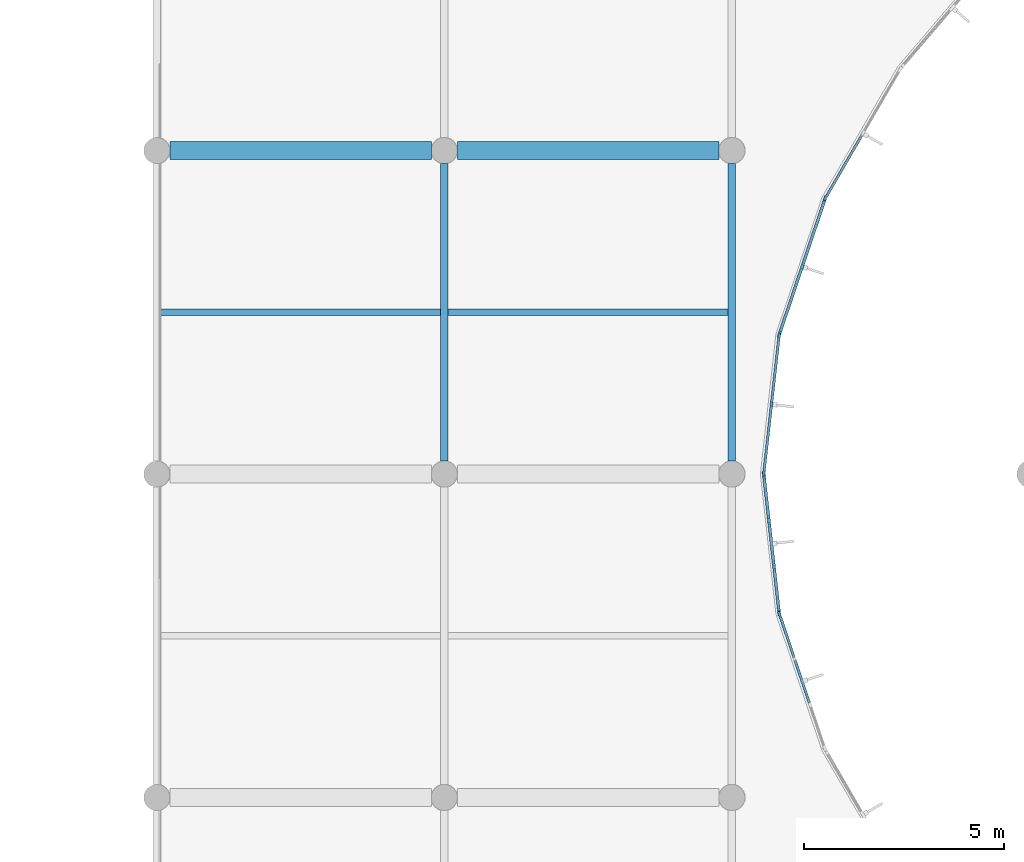
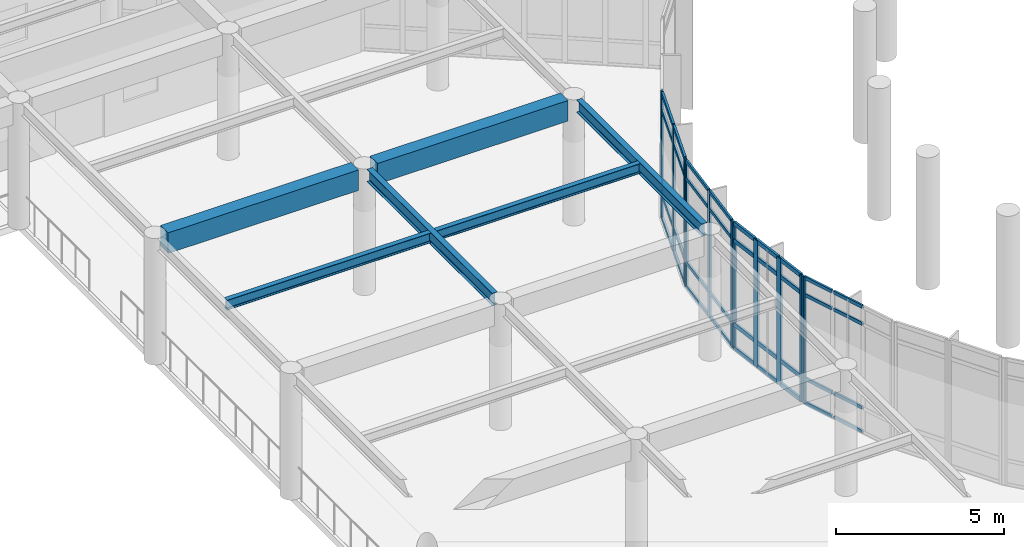
# One storey, part 10 of 92: 50 members, 6 beams, 5 elements without a shape of their own.
"""IFC4 building model written with IfcOpenShell, lengths in metres."""

from ifc_helpers import new_model, si_unit, direction, frame, origin, origin_2d, place, context, subcontext, project, spatial, rectangle, i_section, extrude, material, layer, layer_set, material_profile, profile_set, type_object, element, aggregate, save


model = new_model("IFC4")

# Units and contexts
model_context = context("Model", 3, precision=1e-05, world=origin(), true_north=direction((0.0, 1.0)))
body_context = subcontext(model_context, "Body", "Model", "MODEL_VIEW")
ifc_project = project(units=[si_unit("LENGTHUNIT", "METRE"), si_unit("AREAUNIT", "SQUARE_METRE"), si_unit("VOLUMEUNIT", "CUBIC_METRE"), si_unit("PLANEANGLEUNIT", "RADIAN"), si_unit("MASSUNIT", "GRAM", prefix="KILO")], contexts=[model_context])

# Site, building, storey
site_placement = place(None, origin())
site = spatial("IfcSite", under=ifc_project, at=site_placement, CompositionType="ELEMENT")
building_placement = place(site_placement, origin())
building = spatial("IfcBuilding", under=site, at=building_placement, Name="Namkhue Oval Health Centre", CompositionType="ELEMENT")
storey_placement = place(building_placement, frame((0.0, 0.0, 4.800048828125)))
storey = spatial("IfcBuildingStorey", under=building, at=storey_placement, Name="L01", CompositionType="ELEMENT", Elevation=4.800048828125)

# Curtain wall, member
ifc_material_1 = material(Name="Anodised aluminium EN AW-6063 T6", Category="aluminium")
ifc_layer_1 = layer(ifc_material_1, 0.159912109375)
ifc_layer_set_1 = layer_set([ifc_layer_1], Name="Anodised aluminium EN AW-6063 T6")
curtain_wall_type_1 = type_object("IfcCurtainWallType", Name="UNITISED CURTAIN WALL M1200", PredefinedType="NOTDEFINED", material=ifc_layer_set_1)
curtain_wall_1_placement = place(storey_placement, origin())
curtain_wall_1 = element("IfcCurtainWall", 1, at=curtain_wall_1_placement, inside=storey, type_object=curtain_wall_type_1, Name="Volume V1 L01 Unitised Curtain Wall 25", PredefinedType="NOTDEFINED")
ifc_material_profile_1 = material_profile(ifc_material_1, rectangle(XDim=0.06494140625, YDim=0.159912109375, at=origin_2d()), Name="ALU 65x160")
ifc_profile_set_1 = profile_set([ifc_material_profile_1], Name="Anodised aluminium EN AW-6063 T6")
member_type_1 = type_object("IfcMemberType", Name="CURTAIN WALL MULLION 65X160", PredefinedType="MULLION", material=ifc_profile_set_1)
member_1_placement = place(storey_placement, frame((65.997314453125, 55.881103515625, 0.0), z_axis=(0.0, 0.0, 1.0), x_axis=(-0.947538547184, -0.319641520458, 0.0)))
member_1 = element("IfcMember", 2, at=member_1_placement, type_object=member_type_1, Name="CW-01 mullion 4", PredefinedType="MULLION", context=body_context, shape_type="SweptSolid", body=[
    extrude(rectangle(XDim=0.06494140625, YDim=0.159912109375, at=origin_2d()), origin(), (0.0, 0.0, 1.0), 4.599853515625),
])

# Curtain wall, members
ifc_layer_2 = layer(ifc_material_1, 0.159912109375)
ifc_layer_set_2 = layer_set([ifc_layer_2], Name="Anodised aluminium EN AW-6063 T6")
curtain_wall_type_2 = type_object("IfcCurtainWallType", Name="UNITISED CURTAIN WALL M1500", PredefinedType="NOTDEFINED", material=ifc_layer_set_2)
curtain_wall_2_placement = place(storey_placement, origin())
curtain_wall_2 = element("IfcCurtainWall", 3, at=curtain_wall_2_placement, inside=storey, type_object=curtain_wall_type_2, Name="Volume V1 L01 Unitised Curtain Wall 27", PredefinedType="NOTDEFINED")
member_2_placement = place(storey_placement, frame((65.603515625, 59.432373046875, 0.0), z_axis=(0.0, 0.0, 1.0), x_axis=(-0.993901097292, 0.110275150425, 0.0)))
member_2 = element("IfcMember", 4, at=member_2_placement, type_object=member_type_1, Name="CW-03 mullion 1", PredefinedType="MULLION", context=body_context, shape_type="SweptSolid", body=[
    extrude(rectangle(XDim=0.06494140625, YDim=0.159912109375, at=origin_2d()), origin(), (0.0, 0.0, 1.0), 4.599853515625),
])
member_3_placement = place(storey_placement, frame((65.79345703125, 61.14404296875, 0.0), z_axis=(0.0, 0.0, 1.0), x_axis=(-0.993901097292, 0.110275150425, 0.0)))
member_3 = element("IfcMember", 5, at=member_3_placement, type_object=member_type_1, Name="CW-03 mullion 2", PredefinedType="MULLION", context=body_context, shape_type="SweptSolid", body=[
    extrude(rectangle(XDim=0.06494140625, YDim=0.159912109375, at=origin_2d()), origin(), (0.0, 0.0, 1.0), 4.599853515625),
])
member_4_placement = place(storey_placement, frame((65.9833984375, 62.855712890625, 0.0), z_axis=(0.0, 0.0, 1.0), x_axis=(-0.993901097292, 0.110275150425, 0.0)))
member_4 = element("IfcMember", 6, at=member_4_placement, type_object=member_type_1, Name="CW-03 mullion 3", PredefinedType="MULLION", context=body_context, shape_type="SweptSolid", body=[
    extrude(rectangle(XDim=0.06494140625, YDim=0.159912109375, at=origin_2d()), origin(), (0.0, 0.0, 1.0), 4.599853515625),
])

# Curtain wall, member
ifc_layer_3 = layer(ifc_material_1, 0.159912109375)
ifc_layer_set_3 = layer_set([ifc_layer_3], Name="Anodised aluminium EN AW-6063 T6")
curtain_wall_type_3 = type_object("IfcCurtainWallType", Name="UNITISED CURTAIN WALL M1800", PredefinedType="NOTDEFINED", material=ifc_layer_set_3)
curtain_wall_3_placement = place(storey_placement, origin())
curtain_wall_3 = element("IfcCurtainWall", 7, at=curtain_wall_3_placement, inside=storey, type_object=curtain_wall_type_3, Name="Volume V1 L01 Unitised Curtain Wall 29", PredefinedType="NOTDEFINED")
member_5_placement = place(storey_placement, frame((67.154296875, 66.328125, 0.0), z_axis=(0.0, 0.0, 1.0), x_axis=(-0.865008156752, 0.501757798896, 0.0)))
member_5 = element("IfcMember", 8, at=member_5_placement, type_object=member_type_1, Name="CW-05 mullion 1", PredefinedType="MULLION", context=body_context, shape_type="SweptSolid", body=[
    extrude(rectangle(XDim=0.06494140625, YDim=0.159912109375, at=origin_2d()), origin(), (0.0, 0.0, 1.0), 4.599853515625),
])

# Curtain wall, members
ifc_layer_4 = layer(ifc_material_1, 0.159912109375)
ifc_layer_set_4 = layer_set([ifc_layer_4], Name="Anodised aluminium EN AW-6063 T6")
curtain_wall_type_4 = type_object("IfcCurtainWallType", Name="UNITISED CURTAIN WALL M1350", PredefinedType="NOTDEFINED", material=ifc_layer_set_4)
curtain_wall_4_placement = place(storey_placement, origin())
curtain_wall_4 = element("IfcCurtainWall", 9, at=curtain_wall_4_placement, inside=storey, type_object=curtain_wall_type_4, Name="Volume V1 L01 Unitised Curtain Wall 26", PredefinedType="NOTDEFINED")
ifc_material_profile_2 = material_profile(ifc_material_1, rectangle(XDim=0.074951171875, YDim=0.199951171875, at=origin_2d()), Name="ALU 75x200")
ifc_profile_set_2 = profile_set([ifc_material_profile_2], Name="Anodised aluminium EN AW-6063 T6")
member_type_2 = type_object("IfcMemberType", Name="CURTAIN WALL MULLION 75X200", PredefinedType="MULLION", material=ifc_profile_set_2)
member_6_placement = place(storey_placement, frame((65.98291015625, 55.94921875, 0.0), z_axis=(0.0, 0.0, 1.0), x_axis=(-0.993901097292, -0.110275150425, 0.0)))
member_6 = element("IfcMember", 10, at=member_6_placement, type_object=member_type_2, Name="CW-02 mullion 1", PredefinedType="MULLION", context=body_context, shape_type="SweptSolid", body=[
    extrude(rectangle(XDim=0.074951171875, YDim=0.199951171875, at=origin_2d()), origin(), (0.0, 0.0, 1.0), 4.599853515625),
])
member_7_placement = place(storey_placement, frame((65.85791015625, 57.07470703125, 0.0), z_axis=(0.0, 0.0, 1.0), x_axis=(-0.993901097292, -0.110275150425, 0.0)))
member_7 = element("IfcMember", 11, at=member_7_placement, type_object=member_type_2, Name="CW-02 mullion 2", PredefinedType="MULLION", context=body_context, shape_type="SweptSolid", body=[
    extrude(rectangle(XDim=0.074951171875, YDim=0.199951171875, at=origin_2d()), origin(), (0.0, 0.0, 1.0), 4.599853515625),
])
member_8_placement = place(storey_placement, frame((65.72900390625, 58.2373046875, 0.0), z_axis=(0.0, 0.0, 1.0), x_axis=(-0.993901097292, -0.110275150425, 0.0)))
member_8 = element("IfcMember", 12, at=member_8_placement, type_object=member_type_2, Name="CW-02 mullion 3", PredefinedType="MULLION", context=body_context, shape_type="SweptSolid", body=[
    extrude(rectangle(XDim=0.074951171875, YDim=0.199951171875, at=origin_2d()), origin(), (0.0, 0.0, 1.0), 4.599853515625),
])
member_9_placement = place(storey_placement, frame((65.604248046875, 59.36279296875, 0.0), z_axis=(0.0, 0.0, 1.0), x_axis=(-0.993901097292, -0.110275150425, 0.0)))
member_9 = element("IfcMember", 13, at=member_9_placement, type_object=member_type_2, Name="CW-02 mullion 4", PredefinedType="MULLION", context=body_context, shape_type="SweptSolid", body=[
    extrude(rectangle(XDim=0.074951171875, YDim=0.199951171875, at=origin_2d()), origin(), (0.0, 0.0, 1.0), 4.599853515625),
])

ifc_layer_5 = layer(ifc_material_1, 0.159912109375)
ifc_layer_set_5 = layer_set([ifc_layer_5], Name="Anodised aluminium EN AW-6063 T6")
curtain_wall_type_5 = type_object("IfcCurtainWallType", Name="UNITISED CURTAIN WALL M1600", PredefinedType="NOTDEFINED", material=ifc_layer_set_5)
curtain_wall_5_placement = place(storey_placement, origin())
curtain_wall_5 = element("IfcCurtainWall", 14, at=curtain_wall_5_placement, inside=storey, type_object=curtain_wall_type_5, Name="Volume V1 L01 Unitised Curtain Wall 28", PredefinedType="NOTDEFINED")
member_10_placement = place(storey_placement, frame((65.9990234375, 62.923583984375, 0.0), z_axis=(0.0, 0.0, 1.0), x_axis=(-0.947538547184, 0.319641520458, 0.0)))
member_10 = element("IfcMember", 15, at=member_10_placement, type_object=member_type_2, Name="CW-04 mullion 1", PredefinedType="MULLION", context=body_context, shape_type="SweptSolid", body=[
    extrude(rectangle(XDim=0.074951171875, YDim=0.199951171875, at=origin_2d()), origin(), (0.0, 0.0, 1.0), 4.599853515625),
])
member_11_placement = place(storey_placement, frame((66.5625, 64.593994140625, 0.0), z_axis=(0.0, 0.0, 1.0), x_axis=(-0.947538547184, 0.319641520458, 0.0)))
member_11 = element("IfcMember", 16, at=member_11_placement, type_object=member_type_2, Name="CW-04 mullion 2", PredefinedType="MULLION", context=body_context, shape_type="SweptSolid", body=[
    extrude(rectangle(XDim=0.074951171875, YDim=0.199951171875, at=origin_2d()), origin(), (0.0, 0.0, 1.0), 4.599853515625),
])
member_12_placement = place(storey_placement, frame((67.1259765625, 66.264404296875, 0.0), z_axis=(0.0, 0.0, 1.0), x_axis=(-0.947538547184, 0.319641520458, 0.0)))
member_12 = element("IfcMember", 17, at=member_12_placement, type_object=member_type_2, Name="CW-04 mullion 3", PredefinedType="MULLION", context=body_context, shape_type="SweptSolid", body=[
    extrude(rectangle(XDim=0.074951171875, YDim=0.199951171875, at=origin_2d()), origin(), (0.0, 0.0, 1.0), 4.599853515625),
])

# Member
ifc_material_profile_3 = material_profile(ifc_material_1, rectangle(XDim=0.06494140625, YDim=0.1201171875, at=origin_2d()), Name="ALU 65x120")
ifc_profile_set_3 = profile_set([ifc_material_profile_3], Name="Anodised aluminium EN AW-6063 T6")
member_type_3 = type_object("IfcMemberType", Name="CURTAIN WALL TRANSOM 65X120", PredefinedType="USERDEFINED", material=ifc_profile_set_3)
member_13_placement = place(storey_placement, frame((66.743896484375, 53.668212890625, 0.032470703125), z_axis=(-0.319580741184, 0.94755904822, 0.0), x_axis=(-0.94755904822, -0.319580741184, 0.0)))
member_13 = element("IfcMember", 18, at=member_13_placement, type_object=member_type_3, Name="CW-01 transom 2.1", ObjectType="TRANSOM", PredefinedType="USERDEFINED", context=body_context, shape_type="SweptSolid", body=[
    extrude(rectangle(XDim=0.06494140625, YDim=0.1201171875, at=origin_2d()), origin(), (0.0, 0.0, 1.0), 1.13525390625),
])

member_14_placement = place(storey_placement, frame((66.743896484375, 53.668212890625, 0.89990234375), z_axis=(-0.319580741184, 0.94755904822, 0.0), x_axis=(-0.94755904822, -0.319580741184, 0.0)))
member_14 = element("IfcMember", 19, at=member_14_placement, type_object=member_type_3, Name="CW-01 transom 2.2", ObjectType="TRANSOM", PredefinedType="USERDEFINED", context=body_context, shape_type="SweptSolid", body=[
    extrude(rectangle(XDim=0.06494140625, YDim=0.1201171875, at=origin_2d()), origin(), (0.0, 0.0, 1.0), 1.13525390625),
])

member_15_placement = place(storey_placement, frame((66.743896484375, 53.668212890625, 3.949951171875), z_axis=(-0.319580741184, 0.94755904822, 0.0), x_axis=(-0.94755904822, -0.319580741184, 0.0)))
member_15 = element("IfcMember", 20, at=member_15_placement, type_object=member_type_3, Name="CW-01 transom 2.3", ObjectType="TRANSOM", PredefinedType="USERDEFINED", context=body_context, shape_type="SweptSolid", body=[
    extrude(rectangle(XDim=0.06494140625, YDim=0.1201171875, at=origin_2d()), origin(), (0.0, 0.0, 1.0), 1.13525390625),
])

member_16_placement = place(storey_placement, frame((66.743896484375, 53.668212890625, 4.5673828125), z_axis=(-0.319580741184, 0.94755904822, 0.0), x_axis=(-0.94755904822, -0.319580741184, 0.0)))
member_16 = element("IfcMember", 21, at=member_16_placement, type_object=member_type_3, Name="CW-01 transom 2.4", ObjectType="TRANSOM", PredefinedType="USERDEFINED", context=body_context, shape_type="SweptSolid", body=[
    extrude(rectangle(XDim=0.06494140625, YDim=0.1201171875, at=origin_2d()), origin(), (0.0, 0.0, 1.0), 1.13525390625),
])

member_17_placement = place(storey_placement, frame((66.3603515625, 54.805419921875, 0.032470703125), z_axis=(-0.319679269344, 0.947525812182, 0.0), x_axis=(-0.947525812182, -0.319679269344, 0.0)))
member_17 = element("IfcMember", 22, at=member_17_placement, type_object=member_type_3, Name="CW-01 transom 3.1", ObjectType="TRANSOM", PredefinedType="USERDEFINED", context=body_context, shape_type="SweptSolid", body=[
    extrude(rectangle(XDim=0.06494140625, YDim=0.1201171875, at=origin_2d()), origin(), (0.0, 0.0, 1.0), 1.102783203125),
])

member_18_placement = place(storey_placement, frame((66.3603515625, 54.805419921875, 0.89990234375), z_axis=(-0.319679269344, 0.947525812182, 0.0), x_axis=(-0.947525812182, -0.319679269344, 0.0)))
member_18 = element("IfcMember", 23, at=member_18_placement, type_object=member_type_3, Name="CW-01 transom 3.2", ObjectType="TRANSOM", PredefinedType="USERDEFINED", context=body_context, shape_type="SweptSolid", body=[
    extrude(rectangle(XDim=0.06494140625, YDim=0.1201171875, at=origin_2d()), origin(), (0.0, 0.0, 1.0), 1.102783203125),
])

member_19_placement = place(storey_placement, frame((66.3603515625, 54.805419921875, 3.949951171875), z_axis=(-0.319679269344, 0.947525812182, 0.0), x_axis=(-0.947525812182, -0.319679269344, 0.0)))
member_19 = element("IfcMember", 24, at=member_19_placement, type_object=member_type_3, Name="CW-01 transom 3.3", ObjectType="TRANSOM", PredefinedType="USERDEFINED", context=body_context, shape_type="SweptSolid", body=[
    extrude(rectangle(XDim=0.06494140625, YDim=0.1201171875, at=origin_2d()), origin(), (0.0, 0.0, 1.0), 1.102783203125),
])

member_20_placement = place(storey_placement, frame((66.3603515625, 54.805419921875, 4.5673828125), z_axis=(-0.319679269344, 0.947525812182, 0.0), x_axis=(-0.947525812182, -0.319679269344, 0.0)))
member_20 = element("IfcMember", 25, at=member_20_placement, type_object=member_type_3, Name="CW-01 transom 3.4", ObjectType="TRANSOM", PredefinedType="USERDEFINED", context=body_context, shape_type="SweptSolid", body=[
    extrude(rectangle(XDim=0.06494140625, YDim=0.1201171875, at=origin_2d()), origin(), (0.0, 0.0, 1.0), 1.102783203125),
])

aggregate(curtain_wall_1, [member_1, member_13, member_14, member_15, member_16, member_17, member_18, member_19, member_20])

member_21_placement = place(storey_placement, frame((65.607177734375, 59.464599609375, 0.032470703125), z_axis=(0.110188997766, 0.993910652308, 0.0), x_axis=(-0.993910652308, 0.110188997766, 0.0)))
member_21 = element("IfcMember", 26, at=member_21_placement, type_object=member_type_3, Name="CW-03 transom 1.1", ObjectType="TRANSOM", PredefinedType="USERDEFINED", context=body_context, shape_type="SweptSolid", body=[
    extrude(rectangle(XDim=0.06494140625, YDim=0.1201171875, at=origin_2d()), origin(), (0.0, 0.0, 1.0), 1.6572265625),
])

member_22_placement = place(storey_placement, frame((65.607177734375, 59.464599609375, 0.89990234375), z_axis=(0.110188997766, 0.993910652308, 0.0), x_axis=(-0.993910652308, 0.110188997766, 0.0)))
member_22 = element("IfcMember", 27, at=member_22_placement, type_object=member_type_3, Name="CW-03 transom 1.2", ObjectType="TRANSOM", PredefinedType="USERDEFINED", context=body_context, shape_type="SweptSolid", body=[
    extrude(rectangle(XDim=0.06494140625, YDim=0.1201171875, at=origin_2d()), origin(), (0.0, 0.0, 1.0), 1.6572265625),
])

member_23_placement = place(storey_placement, frame((65.607177734375, 59.464599609375, 3.949951171875), z_axis=(0.110188997766, 0.993910652308, 0.0), x_axis=(-0.993910652308, 0.110188997766, 0.0)))
member_23 = element("IfcMember", 28, at=member_23_placement, type_object=member_type_3, Name="CW-03 transom 1.3", ObjectType="TRANSOM", PredefinedType="USERDEFINED", context=body_context, shape_type="SweptSolid", body=[
    extrude(rectangle(XDim=0.06494140625, YDim=0.1201171875, at=origin_2d()), origin(), (0.0, 0.0, 1.0), 1.6572265625),
])

member_24_placement = place(storey_placement, frame((65.607177734375, 59.464599609375, 4.5673828125), z_axis=(0.110188997766, 0.993910652308, 0.0), x_axis=(-0.993910652308, 0.110188997766, 0.0)))
member_24 = element("IfcMember", 29, at=member_24_placement, type_object=member_type_3, Name="CW-03 transom 1.4", ObjectType="TRANSOM", PredefinedType="USERDEFINED", context=body_context, shape_type="SweptSolid", body=[
    extrude(rectangle(XDim=0.06494140625, YDim=0.1201171875, at=origin_2d()), origin(), (0.0, 0.0, 1.0), 1.6572265625),
])

member_25_placement = place(storey_placement, frame((65.797119140625, 61.17626953125, 0.032470703125), z_axis=(0.110188997766, 0.993910652308, 0.0), x_axis=(-0.993910652308, 0.110188997766, 0.0)))
member_25 = element("IfcMember", 30, at=member_25_placement, type_object=member_type_3, Name="CW-03 transom 2.1", ObjectType="TRANSOM", PredefinedType="USERDEFINED", context=body_context, shape_type="SweptSolid", body=[
    extrude(rectangle(XDim=0.06494140625, YDim=0.1201171875, at=origin_2d()), origin(), (0.0, 0.0, 1.0), 1.6572265625),
])

member_26_placement = place(storey_placement, frame((65.797119140625, 61.17626953125, 0.89990234375), z_axis=(0.110188997766, 0.993910652308, 0.0), x_axis=(-0.993910652308, 0.110188997766, 0.0)))
member_26 = element("IfcMember", 31, at=member_26_placement, type_object=member_type_3, Name="CW-03 transom 2.2", ObjectType="TRANSOM", PredefinedType="USERDEFINED", context=body_context, shape_type="SweptSolid", body=[
    extrude(rectangle(XDim=0.06494140625, YDim=0.1201171875, at=origin_2d()), origin(), (0.0, 0.0, 1.0), 1.6572265625),
])

member_27_placement = place(storey_placement, frame((65.797119140625, 61.17626953125, 3.949951171875), z_axis=(0.110188997766, 0.993910652308, 0.0), x_axis=(-0.993910652308, 0.110188997766, 0.0)))
member_27 = element("IfcMember", 32, at=member_27_placement, type_object=member_type_3, Name="CW-03 transom 2.3", ObjectType="TRANSOM", PredefinedType="USERDEFINED", context=body_context, shape_type="SweptSolid", body=[
    extrude(rectangle(XDim=0.06494140625, YDim=0.1201171875, at=origin_2d()), origin(), (0.0, 0.0, 1.0), 1.6572265625),
])

member_28_placement = place(storey_placement, frame((65.797119140625, 61.17626953125, 4.5673828125), z_axis=(0.110188997766, 0.993910652308, 0.0), x_axis=(-0.993910652308, 0.110188997766, 0.0)))
member_28 = element("IfcMember", 33, at=member_28_placement, type_object=member_type_3, Name="CW-03 transom 2.4", ObjectType="TRANSOM", PredefinedType="USERDEFINED", context=body_context, shape_type="SweptSolid", body=[
    extrude(rectangle(XDim=0.06494140625, YDim=0.1201171875, at=origin_2d()), origin(), (0.0, 0.0, 1.0), 1.6572265625),
])

aggregate(curtain_wall_2, [member_2, member_3, member_4, member_21, member_22, member_23, member_24, member_25, member_26, member_27, member_28])

member_29_placement = place(storey_placement, frame((67.170654296875, 66.356201171875, 0.032470703125), z_axis=(0.501720134578, 0.865030003271, 0.0), x_axis=(-0.865030003271, 0.501720134578, 0.0)))
member_29 = element("IfcMember", 34, at=member_29_placement, type_object=member_type_3, Name="CW-05 transom 1.1", ObjectType="TRANSOM", PredefinedType="USERDEFINED", context=body_context, shape_type="SweptSolid", body=[
    extrude(rectangle(XDim=0.06494140625, YDim=0.1201171875, at=origin_2d()), origin(), (0.0, 0.0, 1.0), 1.786865234375),
])

member_30_placement = place(storey_placement, frame((67.170654296875, 66.356201171875, 0.89990234375), z_axis=(0.501720134578, 0.865030003271, 0.0), x_axis=(-0.865030003271, 0.501720134578, 0.0)))
member_30 = element("IfcMember", 35, at=member_30_placement, type_object=member_type_3, Name="CW-05 transom 1.2", ObjectType="TRANSOM", PredefinedType="USERDEFINED", context=body_context, shape_type="SweptSolid", body=[
    extrude(rectangle(XDim=0.06494140625, YDim=0.1201171875, at=origin_2d()), origin(), (0.0, 0.0, 1.0), 1.786865234375),
])

aggregate(curtain_wall_3, [member_5, member_29, member_30])

ifc_material_profile_4 = material_profile(ifc_material_1, rectangle(XDim=0.074951171875, YDim=0.14990234375, at=origin_2d()), Name="ALU 75x150")
ifc_profile_set_4 = profile_set([ifc_material_profile_4], Name="Anodised aluminium EN AW-6063 T6")
member_type_4 = type_object("IfcMemberType", Name="CURTAIN WALL TRANSOM 75X150", PredefinedType="USERDEFINED", material=ifc_profile_set_4)
member_31_placement = place(storey_placement, frame((65.978759765625, 55.986572265625, 0.037353515625), z_axis=(-0.110380835681, 0.993889365631, 0.0), x_axis=(-0.993889365631, -0.110380835681, 0.0)))
member_31 = element("IfcMember", 36, at=member_31_placement, type_object=member_type_4, Name="CW-02 transom 1.1", ObjectType="TRANSOM", PredefinedType="USERDEFINED", context=body_context, shape_type="SweptSolid", body=[
    extrude(rectangle(XDim=0.074951171875, YDim=0.14990234375, at=origin_2d()), origin(), (0.0, 0.0, 1.0), 1.05712890625),
])

member_32_placement = place(storey_placement, frame((65.978759765625, 55.986572265625, 0.89990234375), z_axis=(-0.110380835681, 0.993889365631, 0.0), x_axis=(-0.993889365631, -0.110380835681, 0.0)))
member_32 = element("IfcMember", 37, at=member_32_placement, type_object=member_type_4, Name="CW-02 transom 1.2", ObjectType="TRANSOM", PredefinedType="USERDEFINED", context=body_context, shape_type="SweptSolid", body=[
    extrude(rectangle(XDim=0.074951171875, YDim=0.14990234375, at=origin_2d()), origin(), (0.0, 0.0, 1.0), 1.05712890625),
])

member_33_placement = place(storey_placement, frame((65.978759765625, 55.986572265625, 3.949951171875), z_axis=(-0.110380835681, 0.993889365631, 0.0), x_axis=(-0.993889365631, -0.110380835681, 0.0)))
member_33 = element("IfcMember", 38, at=member_33_placement, type_object=member_type_4, Name="CW-02 transom 1.3", ObjectType="TRANSOM", PredefinedType="USERDEFINED", context=body_context, shape_type="SweptSolid", body=[
    extrude(rectangle(XDim=0.074951171875, YDim=0.14990234375, at=origin_2d()), origin(), (0.0, 0.0, 1.0), 1.05712890625),
])

member_34_placement = place(storey_placement, frame((65.978759765625, 55.986572265625, 4.5625), z_axis=(-0.110380835681, 0.993889365631, 0.0), x_axis=(-0.993889365631, -0.110380835681, 0.0)))
member_34 = element("IfcMember", 39, at=member_34_placement, type_object=member_type_4, Name="CW-02 transom 1.4", ObjectType="TRANSOM", PredefinedType="USERDEFINED", context=body_context, shape_type="SweptSolid", body=[
    extrude(rectangle(XDim=0.074951171875, YDim=0.14990234375, at=origin_2d()), origin(), (0.0, 0.0, 1.0), 1.05712890625),
])

member_35_placement = place(storey_placement, frame((65.853759765625, 57.11181640625, 0.037353515625), z_axis=(-0.110162289608, 0.99391361292, 0.0), x_axis=(-0.99391361292, -0.110162289608, 0.0)))
member_35 = element("IfcMember", 40, at=member_35_placement, type_object=member_type_4, Name="CW-02 transom 2.1", ObjectType="TRANSOM", PredefinedType="USERDEFINED", context=body_context, shape_type="SweptSolid", body=[
    extrude(rectangle(XDim=0.074951171875, YDim=0.14990234375, at=origin_2d()), origin(), (0.0, 0.0, 1.0), 1.0947265625),
])

member_36_placement = place(storey_placement, frame((65.853759765625, 57.11181640625, 0.89990234375), z_axis=(-0.110162289608, 0.99391361292, 0.0), x_axis=(-0.99391361292, -0.110162289608, 0.0)))
member_36 = element("IfcMember", 41, at=member_36_placement, type_object=member_type_4, Name="CW-02 transom 2.2", ObjectType="TRANSOM", PredefinedType="USERDEFINED", context=body_context, shape_type="SweptSolid", body=[
    extrude(rectangle(XDim=0.074951171875, YDim=0.14990234375, at=origin_2d()), origin(), (0.0, 0.0, 1.0), 1.0947265625),
])

member_37_placement = place(storey_placement, frame((65.853759765625, 57.11181640625, 3.949951171875), z_axis=(-0.110162289608, 0.99391361292, 0.0), x_axis=(-0.99391361292, -0.110162289608, 0.0)))
member_37 = element("IfcMember", 42, at=member_37_placement, type_object=member_type_4, Name="CW-02 transom 2.3", ObjectType="TRANSOM", PredefinedType="USERDEFINED", context=body_context, shape_type="SweptSolid", body=[
    extrude(rectangle(XDim=0.074951171875, YDim=0.14990234375, at=origin_2d()), origin(), (0.0, 0.0, 1.0), 1.0947265625),
])

member_38_placement = place(storey_placement, frame((65.853759765625, 57.11181640625, 4.5625), z_axis=(-0.110162289608, 0.99391361292, 0.0), x_axis=(-0.99391361292, -0.110162289608, 0.0)))
member_38 = element("IfcMember", 43, at=member_38_placement, type_object=member_type_4, Name="CW-02 transom 2.4", ObjectType="TRANSOM", PredefinedType="USERDEFINED", context=body_context, shape_type="SweptSolid", body=[
    extrude(rectangle(XDim=0.074951171875, YDim=0.14990234375, at=origin_2d()), origin(), (0.0, 0.0, 1.0), 1.0947265625),
])

member_39_placement = place(storey_placement, frame((65.724853515625, 58.274658203125, 0.037353515625), z_axis=(-0.110380835681, 0.993889365631, 0.0), x_axis=(-0.993889365631, -0.110380835681, 0.0)))
member_39 = element("IfcMember", 44, at=member_39_placement, type_object=member_type_4, Name="CW-02 transom 3.1", ObjectType="TRANSOM", PredefinedType="USERDEFINED", context=body_context, shape_type="SweptSolid", body=[
    extrude(rectangle(XDim=0.074951171875, YDim=0.14990234375, at=origin_2d()), origin(), (0.0, 0.0, 1.0), 1.05712890625),
])

member_40_placement = place(storey_placement, frame((65.724853515625, 58.274658203125, 0.89990234375), z_axis=(-0.110380835681, 0.993889365631, 0.0), x_axis=(-0.993889365631, -0.110380835681, 0.0)))
member_40 = element("IfcMember", 45, at=member_40_placement, type_object=member_type_4, Name="CW-02 transom 3.2", ObjectType="TRANSOM", PredefinedType="USERDEFINED", context=body_context, shape_type="SweptSolid", body=[
    extrude(rectangle(XDim=0.074951171875, YDim=0.14990234375, at=origin_2d()), origin(), (0.0, 0.0, 1.0), 1.05712890625),
])

member_41_placement = place(storey_placement, frame((65.724853515625, 58.274658203125, 3.949951171875), z_axis=(-0.110380835681, 0.993889365631, 0.0), x_axis=(-0.993889365631, -0.110380835681, 0.0)))
member_41 = element("IfcMember", 46, at=member_41_placement, type_object=member_type_4, Name="CW-02 transom 3.3", ObjectType="TRANSOM", PredefinedType="USERDEFINED", context=body_context, shape_type="SweptSolid", body=[
    extrude(rectangle(XDim=0.074951171875, YDim=0.14990234375, at=origin_2d()), origin(), (0.0, 0.0, 1.0), 1.05712890625),
])

member_42_placement = place(storey_placement, frame((65.724853515625, 58.274658203125, 4.5625), z_axis=(-0.110380835681, 0.993889365631, 0.0), x_axis=(-0.993889365631, -0.110380835681, 0.0)))
member_42 = element("IfcMember", 47, at=member_42_placement, type_object=member_type_4, Name="CW-02 transom 3.4", ObjectType="TRANSOM", PredefinedType="USERDEFINED", context=body_context, shape_type="SweptSolid", body=[
    extrude(rectangle(XDim=0.074951171875, YDim=0.14990234375, at=origin_2d()), origin(), (0.0, 0.0, 1.0), 1.05712890625),
])

aggregate(curtain_wall_4, [member_6, member_7, member_8, member_9, member_31, member_32, member_33, member_34, member_35, member_36, member_37, member_38, member_39, member_40, member_41, member_42])

member_43_placement = place(storey_placement, frame((66.010986328125, 62.958984375, 0.037353515625), z_axis=(0.319653661668, 0.947534451396, 0.0), x_axis=(-0.947534451396, 0.319653661668, 0.0)))
member_43 = element("IfcMember", 48, at=member_43_placement, type_object=member_type_4, Name="CW-04 transom 1.1", ObjectType="TRANSOM", PredefinedType="USERDEFINED", context=body_context, shape_type="SweptSolid", body=[
    extrude(rectangle(XDim=0.074951171875, YDim=0.14990234375, at=origin_2d()), origin(), (0.0, 0.0, 1.0), 1.68798828125),
])

member_44_placement = place(storey_placement, frame((66.010986328125, 62.958984375, 0.89990234375), z_axis=(0.319653661668, 0.947534451396, 0.0), x_axis=(-0.947534451396, 0.319653661668, 0.0)))
member_44 = element("IfcMember", 49, at=member_44_placement, type_object=member_type_4, Name="CW-04 transom 1.2", ObjectType="TRANSOM", PredefinedType="USERDEFINED", context=body_context, shape_type="SweptSolid", body=[
    extrude(rectangle(XDim=0.074951171875, YDim=0.14990234375, at=origin_2d()), origin(), (0.0, 0.0, 1.0), 1.68798828125),
])

member_45_placement = place(storey_placement, frame((66.010986328125, 62.958984375, 3.949951171875), z_axis=(0.319653661668, 0.947534451396, 0.0), x_axis=(-0.947534451396, 0.319653661668, 0.0)))
member_45 = element("IfcMember", 50, at=member_45_placement, type_object=member_type_4, Name="CW-04 transom 1.3", ObjectType="TRANSOM", PredefinedType="USERDEFINED", context=body_context, shape_type="SweptSolid", body=[
    extrude(rectangle(XDim=0.074951171875, YDim=0.14990234375, at=origin_2d()), origin(), (0.0, 0.0, 1.0), 1.68798828125),
])

member_46_placement = place(storey_placement, frame((66.010986328125, 62.958984375, 4.5625), z_axis=(0.319653661668, 0.947534451396, 0.0), x_axis=(-0.947534451396, 0.319653661668, 0.0)))
member_46 = element("IfcMember", 51, at=member_46_placement, type_object=member_type_4, Name="CW-04 transom 1.4", ObjectType="TRANSOM", PredefinedType="USERDEFINED", context=body_context, shape_type="SweptSolid", body=[
    extrude(rectangle(XDim=0.074951171875, YDim=0.14990234375, at=origin_2d()), origin(), (0.0, 0.0, 1.0), 1.68798828125),
])

member_47_placement = place(storey_placement, frame((66.574462890625, 64.629638671875, 0.037353515625), z_axis=(0.319653661668, 0.947534451396, 0.0), x_axis=(-0.947534451396, 0.319653661668, 0.0)))
member_47 = element("IfcMember", 52, at=member_47_placement, type_object=member_type_4, Name="CW-04 transom 2.1", ObjectType="TRANSOM", PredefinedType="USERDEFINED", context=body_context, shape_type="SweptSolid", body=[
    extrude(rectangle(XDim=0.074951171875, YDim=0.14990234375, at=origin_2d()), origin(), (0.0, 0.0, 1.0), 1.68798828125),
])

member_48_placement = place(storey_placement, frame((66.574462890625, 64.629638671875, 0.89990234375), z_axis=(0.319653661668, 0.947534451396, 0.0), x_axis=(-0.947534451396, 0.319653661668, 0.0)))
member_48 = element("IfcMember", 53, at=member_48_placement, type_object=member_type_4, Name="CW-04 transom 2.2", ObjectType="TRANSOM", PredefinedType="USERDEFINED", context=body_context, shape_type="SweptSolid", body=[
    extrude(rectangle(XDim=0.074951171875, YDim=0.14990234375, at=origin_2d()), origin(), (0.0, 0.0, 1.0), 1.68798828125),
])

member_49_placement = place(storey_placement, frame((66.574462890625, 64.629638671875, 3.949951171875), z_axis=(0.319653661668, 0.947534451396, 0.0), x_axis=(-0.947534451396, 0.319653661668, 0.0)))
member_49 = element("IfcMember", 54, at=member_49_placement, type_object=member_type_4, Name="CW-04 transom 2.3", ObjectType="TRANSOM", PredefinedType="USERDEFINED", context=body_context, shape_type="SweptSolid", body=[
    extrude(rectangle(XDim=0.074951171875, YDim=0.14990234375, at=origin_2d()), origin(), (0.0, 0.0, 1.0), 1.68798828125),
])

member_50_placement = place(storey_placement, frame((66.574462890625, 64.629638671875, 4.5625), z_axis=(0.319653661668, 0.947534451396, 0.0), x_axis=(-0.947534451396, 0.319653661668, 0.0)))
member_50 = element("IfcMember", 55, at=member_50_placement, type_object=member_type_4, Name="CW-04 transom 2.4", ObjectType="TRANSOM", PredefinedType="USERDEFINED", context=body_context, shape_type="SweptSolid", body=[
    extrude(rectangle(XDim=0.074951171875, YDim=0.14990234375, at=origin_2d()), origin(), (0.0, 0.0, 1.0), 1.68798828125),
])

aggregate(curtain_wall_5, [member_10, member_11, member_12, member_43, member_44, member_45, member_46, member_47, member_48, member_49, member_50])

# Beams
ifc_material_2 = material(Name="Structural steel EN 10025-2 S355JR (TCVN 5575:2024)", Category="steel")
ifc_material_profile_5 = material_profile(ifc_material_2, i_section(OverallWidth=0.18994140625, OverallDepth=0.449951171875, WebThickness=0.009521484375, FlangeThickness=0.0146484375, FilletRadius=0.02099609375, at=origin_2d()), Name="IPE 450")
ifc_profile_set_5 = profile_set([ifc_material_profile_5], Name="Structural steel EN 10025-2 S355JR (TCVN 5575:2024)")
beam_type_1 = type_object("IfcBeamType", Name="FLOOR BEAM STEEL IPE 450", PredefinedType="BEAM", material=ifc_profile_set_5)
for number, where, z_axis, x_axis, name in (
    (56, (57.60009765625, 59.72509765625, 4.375), (0.0, 1.0, 0.0), (-1.0, 0.0, 0.0), "Volume V1 L02 Beam 9/J-K"),
    (57, (64.800048828125, 59.72509765625, 4.375), (0.0, 1.0, 0.0), (-1.0, 0.0, 0.0), "Volume V1 L02 Beam 10/J-K"),
):
    element("IfcBeam", number, at=place(storey_placement, frame(where, z_axis=z_axis, x_axis=x_axis)), inside=storey, type_object=beam_type_1, Name=name, PredefinedType="BEAM", context=body_context, shape_type="SweptSolid", body=[
        extrude(i_section(OverallWidth=0.18994140625, OverallDepth=0.449951171875, WebThickness=0.009521484375, FlangeThickness=0.0146484375, FilletRadius=0.02099609375, at=origin_2d()), origin(), (0.0, 0.0, 1.0), 7.449951171875),
    ])
ifc_material_3 = material(Name="Reinforced concrete C35/45 (TCVN B40)", Category="concrete")
ifc_material_profile_6 = material_profile(ifc_material_3, rectangle(XDim=0.449951171875, YDim=0.75, at=origin_2d()), Name="RC 450x750")
ifc_profile_set_6 = profile_set([ifc_material_profile_6], Name="Reinforced concrete C35/45 (TCVN B40)")
beam_type_2 = type_object("IfcBeamType", Name="PRIMARY GIRDER RC 450X750", PredefinedType="USERDEFINED", material=ifc_profile_set_6)
beam_1_placement = place(storey_placement, frame((50.72509765625, 67.5, 4.224853515625), z_axis=(1.0, 0.0, 0.0), x_axis=(0.0, 1.0, 0.0)))
element("IfcBeam", 58, at=beam_1_placement, inside=storey, type_object=beam_type_2, Name="Volume V1 L02 Girder K/8-9", ObjectType="GIRDER", PredefinedType="USERDEFINED", context=body_context, shape_type="SweptSolid", body=[
    extrude(rectangle(XDim=0.449951171875, YDim=0.75, at=origin_2d()), origin(), (0.0, 0.0, 1.0), 6.5498046875),
])
beam_2_placement = place(storey_placement, frame((57.925048828125, 67.5, 4.224853515625), z_axis=(1.0, 0.0, 0.0), x_axis=(0.0, 1.0, 0.0)))
element("IfcBeam", 59, at=beam_2_placement, inside=storey, type_object=beam_type_2, Name="Volume V1 L02 Girder K/9-10", ObjectType="GIRDER", PredefinedType="USERDEFINED", context=body_context, shape_type="SweptSolid", body=[
    extrude(rectangle(XDim=0.449951171875, YDim=0.75, at=origin_2d()), origin(), (0.0, 0.0, 1.0), 6.550048828125),
])
ifc_material_profile_7 = material_profile(ifc_material_2, i_section(OverallWidth=0.169921875, OverallDepth=0.360107421875, WebThickness=0.008056640625, FlangeThickness=0.0126953125, FilletRadius=0.01806640625, at=origin_2d()), Name="IPE 360")
ifc_profile_set_7 = profile_set([ifc_material_profile_7], Name="Structural steel EN 10025-2 S355JR (TCVN 5575:2024)")
beam_type_3 = type_object("IfcBeamType", Name="SECONDARY JOIST STEEL IPE 360", PredefinedType="JOIST", material=ifc_profile_set_7)
beam_3_placement = place(storey_placement, frame((50.4951171875, 63.449951171875, 4.419921875), z_axis=(1.0, 0.0, 0.0), x_axis=(0.0, 1.0, 0.0)))
element("IfcBeam", 60, at=beam_3_placement, inside=storey, type_object=beam_type_3, Name="Volume V1 L02 Secondary Joist 8-9", PredefinedType="JOIST", context=body_context, shape_type="SweptSolid", body=[
    extrude(i_section(OverallWidth=0.169921875, OverallDepth=0.360107421875, WebThickness=0.008056640625, FlangeThickness=0.0126953125, FilletRadius=0.01806640625, at=origin_2d()), origin(), (0.0, 0.0, 1.0), 7.009765625),
])
beam_4_placement = place(storey_placement, frame((57.695068359375, 63.449951171875, 4.419921875), z_axis=(1.0, 0.0, 0.0), x_axis=(0.0, 1.0, 0.0)))
element("IfcBeam", 61, at=beam_4_placement, inside=storey, type_object=beam_type_3, Name="Volume V1 L02 Secondary Joist 9-10", PredefinedType="JOIST", context=body_context, shape_type="SweptSolid", body=[
    extrude(i_section(OverallWidth=0.169921875, OverallDepth=0.360107421875, WebThickness=0.008056640625, FlangeThickness=0.0126953125, FilletRadius=0.01806640625, at=origin_2d()), origin(), (0.0, 0.0, 1.0), 7.010009765625),
])

save(model, "model.ifc")
